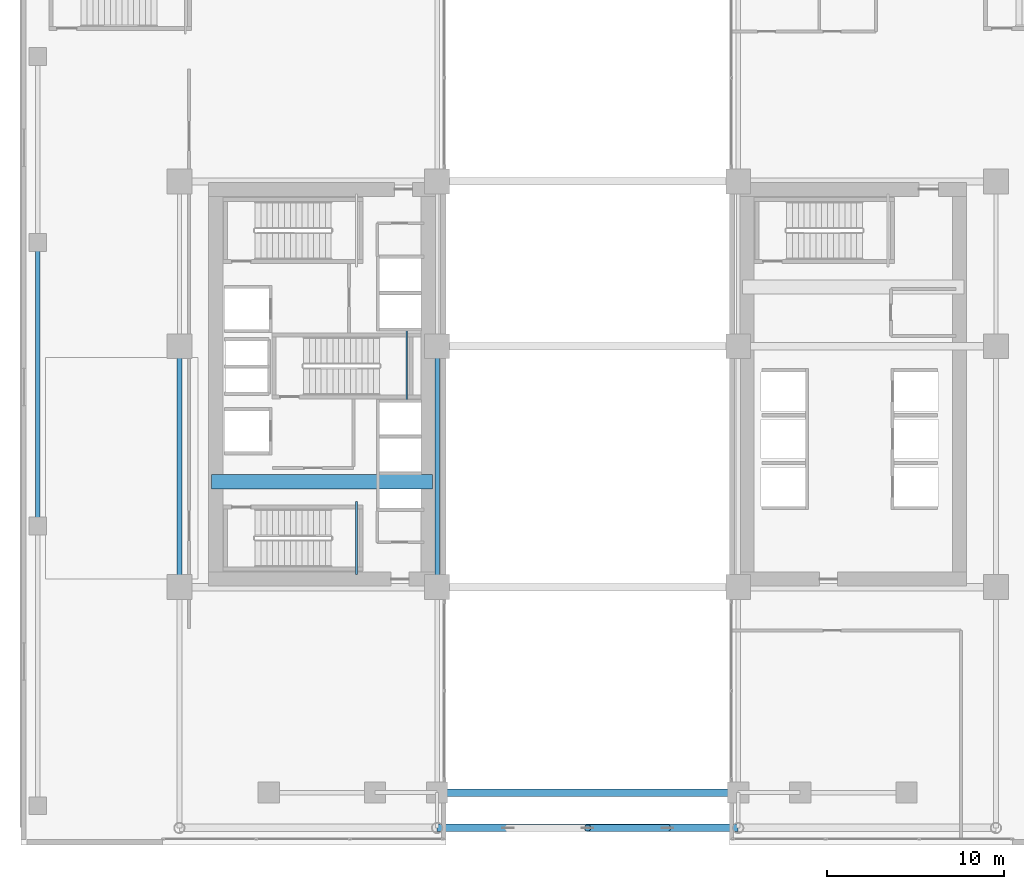
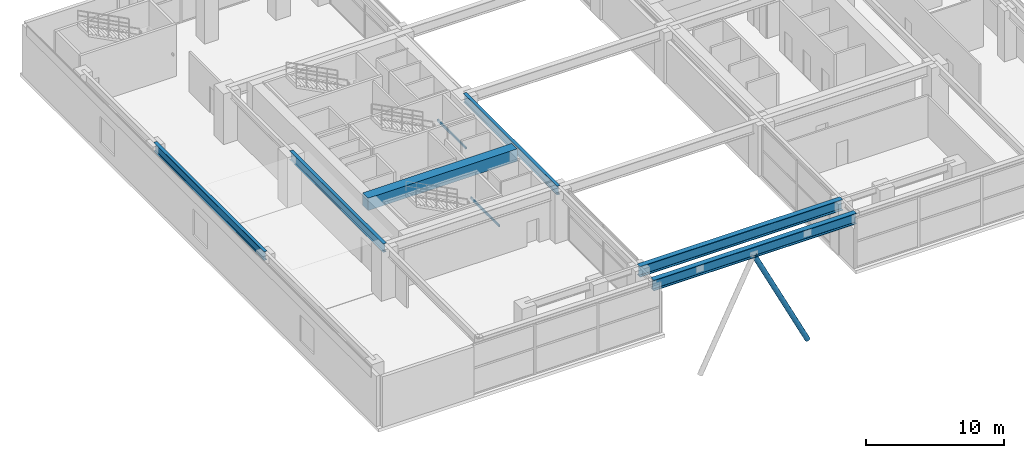
# One storey, part 8 of 30: 8 beams, 1 member.
"""IFC4 building model written with IfcOpenShell, lengths in metres."""

from ifc_helpers import new_model, si_unit, direction, frame, origin, origin_2d, place, context, subcontext, project, spatial, rectangle, hollow_rectangle, hollow_circle, i_section, extrude, source, transform, mapped, material, material_profile, profile_set, type_object, element, save


model = new_model("IFC4")

# Units and contexts
model_context = context("Model", 3, precision=1e-05, world=origin(), true_north=direction((0.0, 1.0)))
body_context = subcontext(model_context, "Body", "Model", "MODEL_VIEW")
ifc_project = project(units=[si_unit("LENGTHUNIT", "METRE"), si_unit("AREAUNIT", "SQUARE_METRE"), si_unit("VOLUMEUNIT", "CUBIC_METRE"), si_unit("PLANEANGLEUNIT", "RADIAN"), si_unit("MASSUNIT", "GRAM", prefix="KILO")], contexts=[model_context])

# Site, building, storey
site_placement = place(None, origin())
site = spatial("IfcSite", under=ifc_project, at=site_placement, CompositionType="ELEMENT")
building_placement = place(site_placement, origin())
building = spatial("IfcBuilding", under=site, at=building_placement, Name="Ocotamira Hotel", CompositionType="ELEMENT")
storey_placement = place(building_placement, frame((0.0, 0.0, 19.199951171875)))
storey = spatial("IfcBuildingStorey", under=building, at=storey_placement, Name="L04", CompositionType="ELEMENT", Elevation=19.199951171875)

# Beams
ifc_material_1 = material(Name="Concrete C60/75", Category="concrete")
ifc_material_profile_1 = material_profile(ifc_material_1, rectangle(XDim=0.800048828125, YDim=1.10009765625, at=origin_2d()), Name="RC800X1100")
ifc_profile_set_1 = profile_set([ifc_material_profile_1], Name="Concrete C60/75")
beam_type_1 = type_object("IfcBeamType", Name="BM-LINK-RC800", PredefinedType="LINTEL", material=ifc_profile_set_1)
shared_shape_1 = source(origin(), body_context, "Body", "SweptSolid", [
    extrude(rectangle(XDim=0.800048828125, YDim=1.10009765625, at=origin_2d()), origin(), (0.0, 0.0, 1.0), 12.5),
])
beam_1_placement = place(storey_placement, frame((10.75, 20.5, 3.929931640625), z_axis=(1.0, 0.0, 0.0), x_axis=(0.0, 1.0, 0.0)))
element("IfcBeam", 1, at=beam_1_placement, inside=storey, type_object=beam_type_1, Name="L04 West Core Coupling Beam", PredefinedType="LINTEL", context=body_context, shape_type="MappedRepresentation", body=[
    mapped(shared_shape_1, transform((0.0, 0.0, 0.0), scale=1.0)),
])
ifc_material_2 = material(Name="Steel ASTM A500 Grade C", Category="steel")
ifc_material_profile_2 = material_profile(ifc_material_2, hollow_rectangle(XDim=0.10009765625, YDim=0.199951171875, WallThickness=0.008056640625, at=origin_2d()), Name="HSS200X100X8")
ifc_profile_set_2 = profile_set([ifc_material_profile_2], Name="Steel ASTM A500 Grade C")
beam_type_2 = type_object("IfcBeamType", Name="BM-STLDG-HSS200", PredefinedType="BEAM", material=ifc_profile_set_2)
shared_shape_2 = source(origin(), body_context, "Body", "SweptSolid", [
    extrude(hollow_rectangle(XDim=0.10009765625, YDim=0.199951171875, WallThickness=0.008056640625, at=origin_2d()), origin(), (0.0, 0.0, 1.0), 4.1201171875),
])
for number, where, z_axis, x_axis, name in (
    (2, (18.949951171875, 15.25, 2.10009765625), (0.0, 1.0, 0.0), (-1.0, 0.0, 0.0), "L04 Stair ST-1 Landing Bearer 1"),
    (3, (21.780029296875, 24.97998046875, 2.10009765625), (0.0, 1.0, 0.0), (-1.0, 0.0, 0.0), "L04 Stair ST-3 Landing Bearer 1"),
):
    element("IfcBeam", number, at=place(storey_placement, frame(where, z_axis=z_axis, x_axis=x_axis)), inside=storey, type_object=beam_type_2, Name=name, PredefinedType="BEAM", context=body_context, shape_type="MappedRepresentation", body=[
        mapped(shared_shape_2, transform((0.0, 0.0, 0.0), scale=1.0)),
    ])
ifc_material_3 = material(Name="Steel ASTM A992 Grade 50", Category="steel")
ifc_material_profile_3 = material_profile(ifc_material_3, i_section(OverallWidth=0.26611328125, OverallDepth=0.779052734375, WebThickness=0.0166015625, FlangeThickness=0.030029296875, FilletRadius=0.01806640625, at=origin_2d()), Name="W30X148")
ifc_profile_set_3 = profile_set([ifc_material_profile_3], Name="Steel ASTM A992 Grade 50")
beam_type_3 = type_object("IfcBeamType", Name="BM-GIRD-W30X148", PredefinedType="BEAM", material=ifc_profile_set_3)
shared_shape_3 = source(origin(), body_context, "Body", "SweptSolid", [
    extrude(i_section(OverallWidth=0.26611328125, OverallDepth=0.779052734375, WebThickness=0.0166015625, FlangeThickness=0.030029296875, FilletRadius=0.01806640625, at=origin_2d()), origin(), (0.0, 0.0, 1.0), 16.0),
])
beam_2_placement = place(storey_placement, frame((0.949951171875, 18.0, 4.090576171875), z_axis=(0.0, 1.0, 0.0), x_axis=(-1.0, 0.0, 0.0)))
element("IfcBeam", 4, at=beam_2_placement, inside=storey, type_object=beam_type_3, Name="L04 Beam X0.95 Y18-34", PredefinedType="BEAM", context=body_context, shape_type="MappedRepresentation", body=[
    mapped(shared_shape_3, transform((0.0, 0.0, 0.0), scale=1.0)),
])
shared_shape_4 = source(origin(), body_context, "Body", "SweptSolid", [
    extrude(i_section(OverallWidth=0.26611328125, OverallDepth=0.779052734375, WebThickness=0.0166015625, FlangeThickness=0.030029296875, FilletRadius=0.01806640625, at=origin_2d()), origin(), (0.0, 0.0, 1.0), 13.599853515625),
])
for number, where, z_axis, x_axis, name in (
    (5, (8.949951171875, 14.550048828125, 4.090576171875), (0.0, 1.0, 0.0), (-1.0, 0.0, 0.0), "L04 Beam X8.95 Y14.55-28.15"),
    (6, (23.5, 14.550048828125, 4.090576171875), (0.0, 1.0, 0.0), (-1.0, 0.0, 0.0), "L04 Beam X23.5 Y14.55-28.15"),
):
    element("IfcBeam", number, at=place(storey_placement, frame(where, z_axis=z_axis, x_axis=x_axis)), inside=storey, type_object=beam_type_3, Name=name, PredefinedType="BEAM", context=body_context, shape_type="MappedRepresentation", body=[
        mapped(shared_shape_4, transform((0.0, 0.0, 0.0), scale=1.0)),
    ])
ifc_material_4 = material(Name="Steel ASTM A913 Grade 65", Category="steel")
ifc_material_profile_4 = material_profile(ifc_material_4, i_section(OverallWidth=0.423095703125, OverallDepth=0.947998046875, WebThickness=0.02392578125, FlangeThickness=0.042724609375, FilletRadius=0.02392578125, at=origin_2d()), Name="W36X302")
ifc_profile_set_4 = profile_set([ifc_material_profile_4], Name="Steel ASTM A913 Grade 65")
beam_type_4 = type_object("IfcBeamType", Name="BM-TRUSS-W36X302", PredefinedType="BEAM", material=ifc_profile_set_4)
shared_shape_5 = source(origin(), body_context, "Body", "SweptSolid", [
    extrude(i_section(OverallWidth=0.423095703125, OverallDepth=0.947998046875, WebThickness=0.02392578125, FlangeThickness=0.042724609375, FilletRadius=0.02392578125, at=origin_2d()), origin(), (0.0, 0.0, 1.0), 17.0),
])
for number, where, z_axis, x_axis, name in (
    (7, (23.5, 0.949951171875, 4.006103515625), (1.0, 0.0, 0.0), (0.0, 1.0, 0.0), "L04 Girder Y0.95 X23.5-40.5"),
    (8, (23.5, 2.949951171875, 4.006103515625), (1.0, 0.0, 0.0), (0.0, 1.0, 0.0), "L04 Girder Y2.95 X23.5-40.5"),
):
    element("IfcBeam", number, at=place(storey_placement, frame(where, z_axis=z_axis, x_axis=x_axis)), inside=storey, type_object=beam_type_4, Name=name, PredefinedType="BEAM", context=body_context, shape_type="MappedRepresentation", body=[
        mapped(shared_shape_5, transform((0.0, 0.0, 0.0), scale=1.0)),
    ])

# Member
ifc_material_5 = material(Name="Pale-metal coated steel ASTM A500 Grade C", Category="steel")
ifc_material_profile_5 = material_profile(ifc_material_5, hollow_circle(Radius=0.202880859375, WallThickness=0.01611328125, at=origin_2d()), Name="CHS406X16")
ifc_profile_set_5 = profile_set([ifc_material_profile_5], Name="Pale-metal coated steel ASTM A500 Grade C")
member_type = type_object("IfcMemberType", Name="MEM-ARCH-CHS406", PredefinedType="CHORD", material=ifc_profile_set_5)
shared_shape_6 = source(origin(), body_context, "Body", "SweptSolid", [
    extrude(hollow_circle(Radius=0.202880859375, WallThickness=0.01611328125, at=origin_2d()), origin(), (0.0, 0.0, 1.0), 10.107177734375),
])
member_placement = place(storey_placement, frame((32.0, 0.949951171875, 3.650146484375), z_axis=(0.445231758648, 0.0, -0.895415367911), x_axis=(0.0, 1.0, 0.0)))
element("IfcMember", 9, at=member_placement, inside=storey, type_object=member_type, Name="Giant Portal Arch Rib S3", PredefinedType="CHORD", context=body_context, shape_type="MappedRepresentation", body=[
    mapped(shared_shape_6, transform((0.0, 0.0, 0.0), scale=1.0)),
])

save(model, "model.ifc")
